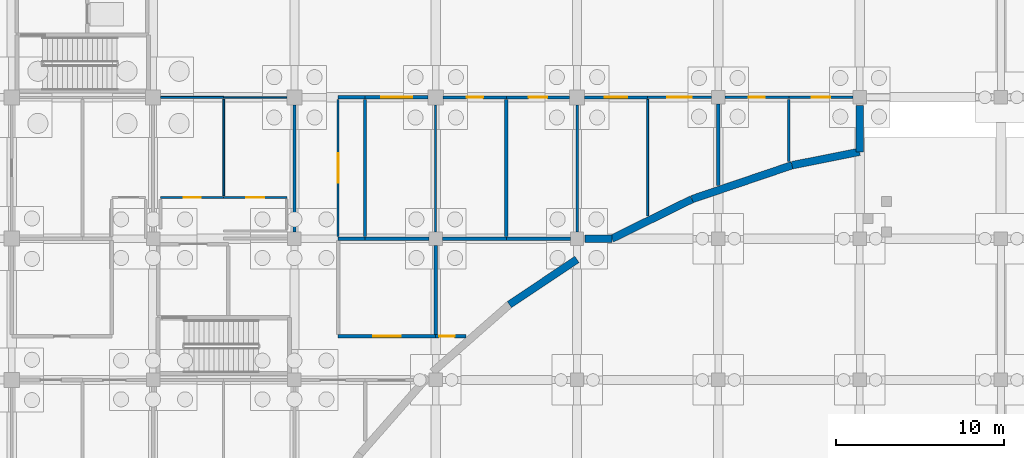
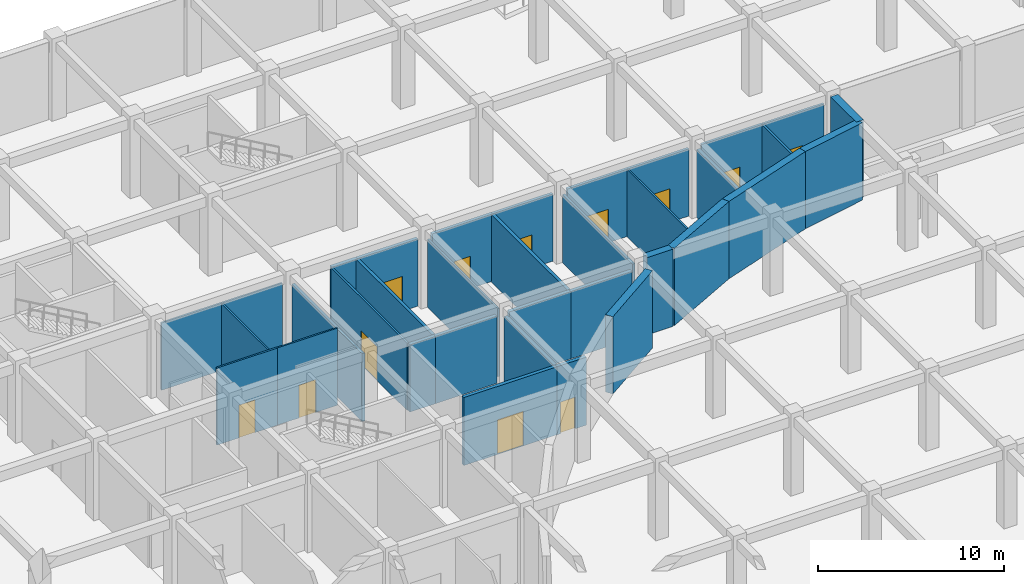
# One storey, part 49 of 65: 35 walls, 12 doors, 12 openings.
"""IFC4 building model written with IfcOpenShell, lengths in metres."""

from ifc_helpers import new_model, si_unit, direction, frame, frame_2d, origin, place, context, subcontext, project, spatial, rectangle, extrude, material, layer, layer_set, type_object, element, fill, save


model = new_model("IFC4")

# Units and contexts
model_context = context("Model", 3, precision=1e-05, world=origin(), true_north=direction((0.0, 1.0)))
body_context = subcontext(model_context, "Body", "Model", "MODEL_VIEW")
ifc_project = project(units=[si_unit("LENGTHUNIT", "METRE"), si_unit("AREAUNIT", "SQUARE_METRE"), si_unit("VOLUMEUNIT", "CUBIC_METRE"), si_unit("PLANEANGLEUNIT", "RADIAN"), si_unit("MASSUNIT", "GRAM", prefix="KILO")], contexts=[model_context])

# Site, building, storey
site_placement = place(None, origin())
site = spatial("IfcSite", under=ifc_project, at=site_placement, CompositionType="ELEMENT")
building_placement = place(site_placement, origin())
building = spatial("IfcBuilding", under=site, at=building_placement, Name="Bramfleet General Hospital", CompositionType="ELEMENT")
storey_placement = place(building_placement, frame((0.0, 0.0, -5.39990234375)))
storey = spatial("IfcBuildingStorey", under=building, at=storey_placement, Name="B1", CompositionType="ELEMENT", Elevation=-5.39990234375)

# Walls
ifc_material_1 = material(Name="Concrete C35/45", Category="concrete")
ifc_layer_1 = layer(ifc_material_1, 0.449951171875, Name="WT-EW-01")
ifc_layer_set_1 = layer_set([ifc_layer_1], Name="Concrete C35/45")
wall_type_1 = type_object("IfcWallType", Name="WT-EW-01", PredefinedType="SOLIDWALL", material=ifc_layer_set_1)
wall_1_placement = place(storey_placement, frame((168.0, 91.925048828125, 0.0), z_axis=(0.0, 0.0, 1.0), x_axis=(0.0, -1.0, 0.0)))
element("IfcWall", 1, at=wall_1_placement, inside=storey, type_object=wall_type_1, Name="B1 Waterproof Retaining Wall 35", PredefinedType="SOLIDWALL", context=body_context, shape_type="SweptSolid", body=[
    extrude(rectangle(XDim=2.760009765625, YDim=0.449951171875, at=frame_2d((1.3798828125, 0.0))), origin(), (0.0, 0.0, 1.0), 5.079833984375),
])
wall_2_placement = place(storey_placement, frame((168.0, 89.1650390625, 0.0), z_axis=(0.0, 0.0, 1.0), x_axis=(-0.980747429611, -0.195280514416, 0.0)))
element("IfcWall", 2, at=wall_2_placement, inside=storey, type_object=wall_type_1, Name="B1 Waterproof Retaining Wall 36", PredefinedType="SOLIDWALL", context=body_context, shape_type="SweptSolid", body=[
    extrude(rectangle(XDim=4.101806640625, YDim=0.449951171875, at=frame_2d((2.05078125, 0.0))), origin(), (0.0, 0.0, 1.0), 5.079833984375),
])
wall_3_placement = place(storey_placement, frame((163.97705078125, 88.364013671875, 0.0), z_axis=(0.0, 0.0, 1.0), x_axis=(-0.946946796994, -0.321390360253, 0.0)))
element("IfcWall", 3, at=wall_3_placement, inside=storey, type_object=wall_type_1, Name="B1 Waterproof Retaining Wall 37", PredefinedType="SOLIDWALL", context=body_context, shape_type="SweptSolid", body=[
    extrude(rectangle(XDim=6.279296875, YDim=0.449951171875, at=frame_2d((3.1396484375, 0.0))), origin(), (0.0, 0.0, 1.0), 5.079833984375),
])
wall_4_placement = place(storey_placement, frame((158.031005859375, 86.345947265625, 0.0), z_axis=(0.0, 0.0, 1.0), x_axis=(-0.896871620933, -0.442290962563, 0.0)))
element("IfcWall", 4, at=wall_4_placement, inside=storey, type_object=wall_type_1, Name="B1 Waterproof Retaining Wall 38", PredefinedType="SOLIDWALL", context=body_context, shape_type="SweptSolid", body=[
    extrude(rectangle(XDim=5.30419921875, YDim=0.449951171875, at=frame_2d((2.652099609375, 0.0))), origin(), (0.0, 0.0, 1.0), 5.079833984375),
])
wall_5_placement = place(storey_placement, frame((153.27392578125, 84.0, 0.0), z_axis=(0.0, 0.0, 1.0), x_axis=(-1.0, 0.0, 0.0)))
element("IfcWall", 5, at=wall_5_placement, inside=storey, type_object=wall_type_1, Name="B1 Waterproof Retaining Wall 39", PredefinedType="SOLIDWALL", context=body_context, shape_type="SweptSolid", body=[
    extrude(rectangle(XDim=1.598876953125, YDim=0.449951171875, at=frame_2d((0.79931640625, 0.0))), origin(), (0.0, 0.0, 1.0), 5.079833984375),
])
wall_6_placement = place(storey_placement, frame((151.199951171875, 82.76708984375, 0.0), z_axis=(0.0, 0.0, 1.0), x_axis=(-0.831537291658, -0.555468930348, 0.0)))
element("IfcWall", 6, at=wall_6_placement, inside=storey, type_object=wall_type_1, Name="B1 Waterproof Retaining Wall 40", PredefinedType="SOLIDWALL", context=body_context, shape_type="SweptSolid", body=[
    extrude(rectangle(XDim=4.835693359375, YDim=0.449951171875, at=frame_2d((2.41796875, 0.0))), origin(), (0.0, 0.0, 1.0), 5.079833984375),
])

# Wall, opening, door
ifc_layer_2 = layer(ifc_material_1, 0.219970703125, Name="WT-IW-01")
ifc_layer_set_2 = layer_set([ifc_layer_2], Name="Concrete C35/45")
wall_type_2 = type_object("IfcWallType", Name="WT-IW-01", PredefinedType="PARTITIONING", material=ifc_layer_set_2)
wall_7_placement = place(storey_placement, frame((137.0, 78.199951171875, 0.0), z_axis=(0.0, 0.0, 1.0), x_axis=(1.0, 0.0, 0.0)))
wall_7 = element("IfcWall", 7, at=wall_7_placement, inside=storey, type_object=wall_type_2, Name="B1 Interior Partition IW-B1-0232", PredefinedType="PARTITIONING", context=body_context, shape_type="SweptSolid", body=[
    extrude(rectangle(XDim=5.800048828125, YDim=0.219970703125, at=frame_2d((2.89990234375, 0.0))), origin(), (0.0, 0.0, 1.0), 4.469970703125),
])
opening_1_placement = place(wall_7_placement, frame((2.080078125, 0.0, 0.0)))
opening_1 = element("IfcOpeningElement", 8, at=opening_1_placement, cuts=wall_7, Name="Opening D0370", PredefinedType="OPENING", context=body_context, shape_type="SweptSolid", body=[
    extrude(rectangle(XDim=1.639892578125, YDim=2.280029296875, at=frame_2d((0.81982421875, 1.14013671875))), frame((0.0, 0.119873046875, 0.0), z_axis=(0.0, -1.0, 0.0), x_axis=(1.0, 0.0, 0.0)), (0.0, 0.0, 1.0), 0.239990234375),
])
ifc_material_2 = material(Name="Stainless steel and acoustic timber leaf", Category="steel")
door_type_1 = type_object("IfcDoorType", Name="DR-D-18", OperationType="NOTDEFINED", PredefinedType="DOOR", material=ifc_material_2)
door_1_placement = place(opening_1_placement, origin())
door_1 = element("IfcDoor", 9, at=door_1_placement, inside=storey, type_object=door_type_1, Name="Central Sterile Supply Room B1-1609 Door D0370", OperationType="DOUBLE_SWING_LEFT", OverallHeight=2.280029296875, OverallWidth=1.639892578125, PredefinedType="DOOR", context=body_context, shape_type="SweptSolid", body=[
    extrude(rectangle(XDim=1.639892578125, YDim=2.280029296875, at=frame_2d((0.81982421875, 1.14013671875))), frame((0.0, 0.02490234375, 0.0), z_axis=(0.0, -1.0, 0.0), x_axis=(1.0, 0.0, 0.0)), (0.0, 0.0, 1.0), 0.050048828125),
])
fill(opening_1, door_1)

wall_8_placement = place(storey_placement, frame((142.800048828125, 78.199951171875, 0.0), z_axis=(0.0, 0.0, 1.0), x_axis=(1.0, 0.0, 0.0)))
wall_8 = element("IfcWall", 10, at=wall_8_placement, inside=storey, type_object=wall_type_2, Name="B1 Interior Partition IW-B1-0233", PredefinedType="PARTITIONING", context=body_context, shape_type="SweptSolid", body=[
    extrude(rectangle(XDim=1.81005859375, YDim=0.219970703125, at=frame_2d((0.905029296875, 0.0))), origin(), (0.0, 0.0, 1.0), 4.469970703125),
])
opening_2_placement = place(wall_8_placement, frame((0.20947265625, 0.0, 0.0)))
opening_2 = element("IfcOpeningElement", 11, at=opening_2_placement, cuts=wall_8, Name="Opening D0377", PredefinedType="OPENING", context=body_context, shape_type="SweptSolid", body=[
    extrude(rectangle(XDim=0.919921875, YDim=2.080078125, at=frame_2d((0.4599609375, 1.0400390625))), frame((0.0, 0.119873046875, 0.0), z_axis=(0.0, -1.0, 0.0), x_axis=(1.0, 0.0, 0.0)), (0.0, 0.0, 1.0), 0.239990234375),
])
door_type_2 = type_object("IfcDoorType", Name="DR-D-25", OperationType="NOTDEFINED", PredefinedType="DOOR", material=ifc_material_2)
door_2_placement = place(opening_2_placement, origin())
door_2 = element("IfcDoor", 12, at=door_2_placement, inside=storey, type_object=door_type_2, Name="Central Sterile Supply Room B1-1709 Door D0377", OperationType="SINGLE_SWING_RIGHT", OverallHeight=2.080078125, OverallWidth=0.919921875, PredefinedType="DOOR", context=body_context, shape_type="SweptSolid", body=[
    extrude(rectangle(XDim=0.919921875, YDim=2.080078125, at=frame_2d((0.4599609375, 1.0400390625))), frame((0.0, 0.02490234375, 0.0), z_axis=(0.0, -1.0, 0.0), x_axis=(1.0, 0.0, 0.0)), (0.0, 0.0, 1.0), 0.050048828125),
])
fill(opening_2, door_2)

# Walls
wall_9_placement = place(storey_placement, frame((137.0, 84.0, 0.0), z_axis=(0.0, 0.0, 1.0), x_axis=(1.0, 0.0, 0.0)))
element("IfcWall", 13, at=wall_9_placement, inside=storey, type_object=wall_type_2, Name="B1 Interior Partition IW-B1-0245", PredefinedType="PARTITIONING", context=body_context, shape_type="SweptSolid", body=[
    extrude(rectangle(XDim=1.60009765625, YDim=0.219970703125, at=frame_2d((0.800048828125, 0.0))), origin(), (0.0, 0.0, 1.0), 4.419921875),
])
for number, where, z_axis, x_axis, name in (
    (14, (138.60009765625, 84.0, 0.0), (0.0, 0.0, 1.0), (1.0, 0.0, 0.0), "B1 Interior Partition IW-B1-0246"),
    (15, (143.195068359375, 84.0, 0.0), (0.0, 0.0, 1.0), (1.0, 0.0, 0.0), "B1 Interior Partition IW-B1-0247"),
    (16, (147.0, 84.0, 0.0), (0.0, 0.0, 1.0), (1.0, 0.0, 0.0), "B1 Interior Partition IW-B1-0248"),
):
    element("IfcWall", number, at=place(storey_placement, frame(where, z_axis=z_axis, x_axis=x_axis)), inside=storey, type_object=wall_type_2, Name=name, PredefinedType="PARTITIONING", context=body_context, shape_type="SweptSolid", body=[
        extrude(rectangle(XDim=3.804931640625, YDim=0.219970703125, at=frame_2d((1.90234375, 0.0))), origin(), (0.0, 0.0, 1.0), 4.419921875),
    ])
wall_10_placement = place(storey_placement, frame((137.0, 92.39990234375, 0.0), z_axis=(0.0, 0.0, 1.0), x_axis=(1.0, 0.0, 0.0)))
element("IfcWall", 17, at=wall_10_placement, inside=storey, type_object=wall_type_2, Name="B1 Interior Partition IW-B1-0265", PredefinedType="PARTITIONING", context=body_context, shape_type="SweptSolid", body=[
    extrude(rectangle(XDim=1.60009765625, YDim=0.219970703125, at=frame_2d((0.800048828125, 0.0))), origin(), (0.0, 0.0, 1.0), 4.419921875),
])
wall_11_placement = place(storey_placement, frame((142.800048828125, 78.31494140625, 0.0), z_axis=(0.0, 0.0, 1.0), x_axis=(0.0, 1.0, 0.0)))
element("IfcWall", 18, at=wall_11_placement, inside=storey, type_object=wall_type_2, Name="B1 Interior Partition IW-B1-0573", PredefinedType="PARTITIONING", context=body_context, shape_type="SweptSolid", body=[
    extrude(rectangle(XDim=5.2900390625, YDim=0.219970703125, at=frame_2d((2.64501953125, 0.0))), origin(), (0.0, 0.0, 1.0), 4.469970703125),
])

# Wall, opening, door
ifc_layer_3 = layer(ifc_material_1, 0.205078125, Name="WT-IW-02")
ifc_layer_set_3 = layer_set([ifc_layer_3], Name="Concrete C35/45")
wall_type_3 = type_object("IfcWallType", Name="WT-IW-02", PredefinedType="PARTITIONING", material=ifc_layer_set_3)
wall_12_placement = place(storey_placement, frame((138.60009765625, 92.39990234375, 0.0), z_axis=(0.0, 0.0, 1.0), x_axis=(1.0, 0.0, 0.0)))
wall_12 = element("IfcWall", 19, at=wall_12_placement, inside=storey, type_object=wall_type_3, Name="B1 Interior Partition IW-B1-0266", PredefinedType="PARTITIONING", context=body_context, shape_type="SweptSolid", body=[
    extrude(rectangle(XDim=3.7548828125, YDim=0.205078125, at=frame_2d((1.87744140625, 0.0))), origin(), (0.0, 0.0, 1.0), 4.419921875),
])
opening_3_placement = place(wall_12_placement, frame((0.95751953125, 0.0, 0.0)))
opening_3 = element("IfcOpeningElement", 20, at=opening_3_placement, cuts=wall_12, Name="Opening D0372", PredefinedType="OPENING", context=body_context, shape_type="SweptSolid", body=[
    extrude(rectangle(XDim=1.840087890625, YDim=2.280029296875, at=frame_2d((0.919921875, 1.14013671875))), frame((0.0, 0.112548828125, 0.0), z_axis=(0.0, -1.0, 0.0), x_axis=(1.0, 0.0, 0.0)), (0.0, 0.0, 1.0), 0.22509765625),
])
door_type_3 = type_object("IfcDoorType", Name="DR-D-20", OperationType="NOTDEFINED", PredefinedType="DOOR", material=ifc_material_2)
door_3_placement = place(opening_3_placement, origin())
door_3 = element("IfcDoor", 21, at=door_3_placement, inside=storey, type_object=door_type_3, Name="Clinical Engineering Workshop B1-1610 Door D0372", OperationType="DOUBLE_SWING_LEFT", OverallHeight=2.280029296875, OverallWidth=1.840087890625, PredefinedType="DOOR", context=body_context, shape_type="SweptSolid", body=[
    extrude(rectangle(XDim=1.840087890625, YDim=2.280029296875, at=frame_2d((0.919921875, 1.14013671875))), frame((0.0, 0.02490234375, 0.0), z_axis=(0.0, -1.0, 0.0), x_axis=(1.0, 0.0, 0.0)), (0.0, 0.0, 1.0), 0.050048828125),
])
fill(opening_3, door_3)

# Wall
wall_13_placement = place(storey_placement, frame((147.0, 84.114990234375, 0.0), z_axis=(0.0, 0.0, 1.0), x_axis=(0.0, 1.0, 0.0)))
element("IfcWall", 22, at=wall_13_placement, inside=storey, type_object=wall_type_3, Name="B1 Interior Partition IW-B1-0578", PredefinedType="PARTITIONING", context=body_context, shape_type="SweptSolid", body=[
    extrude(rectangle(XDim=8.169921875, YDim=0.205078125, at=frame_2d((4.0849609375, 0.0))), origin(), (0.0, 0.0, 1.0), 4.419921875),
])

# Wall, opening, door
ifc_layer_4 = layer(ifc_material_1, 0.18994140625, Name="WT-IW-03")
ifc_layer_set_4 = layer_set([ifc_layer_4], Name="Concrete C35/45")
wall_type_4 = type_object("IfcWallType", Name="WT-IW-03", PredefinedType="PARTITIONING", material=ifc_layer_set_4)
wall_14_placement = place(storey_placement, frame((143.2451171875, 92.39990234375, 0.0), z_axis=(0.0, 0.0, 1.0), x_axis=(1.0, 0.0, 0.0)))
wall_14 = element("IfcWall", 23, at=wall_14_placement, inside=storey, type_object=wall_type_4, Name="B1 Interior Partition IW-B1-0267", PredefinedType="PARTITIONING", context=body_context, shape_type="SweptSolid", body=[
    extrude(rectangle(XDim=3.7548828125, YDim=0.18994140625, at=frame_2d((1.87744140625, 0.0))), origin(), (0.0, 0.0, 1.0), 4.419921875),
])
opening_4_placement = place(wall_14_placement, frame((1.387451171875, 0.0, 0.0)))
opening_4 = element("IfcOpeningElement", 24, at=opening_4_placement, cuts=wall_14, Name="Opening D0378", PredefinedType="OPENING", context=body_context, shape_type="SweptSolid", body=[
    extrude(rectangle(XDim=0.97998046875, YDim=2.1201171875, at=frame_2d((0.489990234375, 1.06005859375))), frame((0.0, 0.10498046875, 0.0), z_axis=(0.0, -1.0, 0.0), x_axis=(1.0, 0.0, 0.0)), (0.0, 0.0, 1.0), 0.2099609375),
])
door_type_4 = type_object("IfcDoorType", Name="DR-D-26", OperationType="NOTDEFINED", PredefinedType="DOOR", material=ifc_material_2)
door_4_placement = place(opening_4_placement, origin())
door_4 = element("IfcDoor", 25, at=door_4_placement, inside=storey, type_object=door_type_4, Name="Clean Medical Supply Store B1-1710 Door D0378", OperationType="SINGLE_SWING_LEFT", OverallHeight=2.1201171875, OverallWidth=0.97998046875, PredefinedType="DOOR", context=body_context, shape_type="SweptSolid", body=[
    extrude(rectangle(XDim=0.97998046875, YDim=2.1201171875, at=frame_2d((0.489990234375, 1.06005859375))), frame((0.0, 0.02490234375, 0.0), z_axis=(0.0, -1.0, 0.0), x_axis=(1.0, 0.0, 0.0)), (0.0, 0.0, 1.0), 0.050048828125),
])
fill(opening_4, door_4)

# Walls
wall_15_placement = place(storey_placement, frame((138.60009765625, 84.114990234375, 0.0), z_axis=(0.0, 0.0, 1.0), x_axis=(0.0, 1.0, 0.0)))
element("IfcWall", 26, at=wall_15_placement, inside=storey, type_object=wall_type_4, Name="B1 Interior Partition IW-B1-0567", PredefinedType="PARTITIONING", context=body_context, shape_type="SweptSolid", body=[
    extrude(rectangle(XDim=8.169921875, YDim=0.18994140625, at=frame_2d((4.0849609375, 0.0))), origin(), (0.0, 0.0, 1.0), 4.419921875),
])
wall_16_placement = place(storey_placement, frame((159.60009765625, 87.17431640625, 0.0), z_axis=(0.0, 0.0, 1.0), x_axis=(0.0, 1.0, 0.0)))
element("IfcWall", 27, at=wall_16_placement, inside=storey, type_object=wall_type_4, Name="B1 Interior Partition IW-B1-0591", PredefinedType="PARTITIONING", context=body_context, shape_type="SweptSolid", body=[
    extrude(rectangle(XDim=4.83056640625, YDim=0.18994140625, at=frame_2d((2.415283203125, 0.0))), origin(), (0.0, 0.0, 1.0), 4.469970703125),
])

# Wall, opening, door
ifc_layer_5 = layer(ifc_material_1, 0.179931640625, Name="WT-IW-04")
ifc_layer_set_5 = layer_set([ifc_layer_5], Name="Concrete C35/45")
wall_type_5 = type_object("IfcWallType", Name="WT-IW-04", PredefinedType="PARTITIONING", material=ifc_layer_set_5)
wall_17_placement = place(storey_placement, frame((147.0, 92.39990234375, 0.0), z_axis=(0.0, 0.0, 1.0), x_axis=(1.0, 0.0, 0.0)))
wall_17 = element("IfcWall", 28, at=wall_17_placement, inside=storey, type_object=wall_type_5, Name="B1 Interior Partition IW-B1-0268", PredefinedType="PARTITIONING", context=body_context, shape_type="SweptSolid", body=[
    extrude(rectangle(XDim=3.7548828125, YDim=0.179931640625, at=frame_2d((1.87744140625, 0.0))), origin(), (0.0, 0.0, 1.0), 4.419921875),
])
opening_5_placement = place(wall_17_placement, frame((1.3173828125, 0.0, 0.0)))
opening_5 = element("IfcOpeningElement", 29, at=opening_5_placement, cuts=wall_17, Name="Opening D0379", PredefinedType="OPENING", context=body_context, shape_type="SweptSolid", body=[
    extrude(rectangle(XDim=1.1201171875, YDim=2.179931640625, at=frame_2d((0.56005859375, 1.08984375))), frame((0.0, 0.099853515625, 0.0), z_axis=(0.0, -1.0, 0.0), x_axis=(1.0, 0.0, 0.0)), (0.0, 0.0, 1.0), 0.199951171875),
])
door_type_5 = type_object("IfcDoorType", Name="DR-D-27", OperationType="NOTDEFINED", PredefinedType="DOOR", material=ifc_material_2)
door_5_placement = place(opening_5_placement, origin())
door_5 = element("IfcDoor", 30, at=door_5_placement, inside=storey, type_object=door_type_5, Name="Clinical Engineering Workshop B1-1710 Door D0379", OperationType="SINGLE_SWING_RIGHT", OverallHeight=2.179931640625, OverallWidth=1.1201171875, PredefinedType="DOOR", context=body_context, shape_type="SweptSolid", body=[
    extrude(rectangle(XDim=1.1201171875, YDim=2.179931640625, at=frame_2d((0.56005859375, 1.08984375))), frame((0.0, 0.02490234375, 0.0), z_axis=(0.0, -1.0, 0.0), x_axis=(1.0, 0.0, 0.0)), (0.0, 0.0, 1.0), 0.050048828125),
])
fill(opening_5, door_5)

ifc_material_3 = material(Name="Gypsum plasterboard on acoustic steel studs", Category="steel")
ifc_layer_6 = layer(ifc_material_3, 0.169921875, Name="WT-IW-05")
ifc_layer_set_6 = layer_set([ifc_layer_6], Name="Gypsum plasterboard on acoustic steel studs")
wall_type_6 = type_object("IfcWallType", Name="WT-IW-05", PredefinedType="PARTITIONING", material=ifc_layer_set_6)
wall_18_placement = place(storey_placement, frame((151.64501953125, 92.39990234375, 0.0), z_axis=(0.0, 0.0, 1.0), x_axis=(1.0, 0.0, 0.0)))
wall_18 = element("IfcWall", 31, at=wall_18_placement, inside=storey, type_object=wall_type_6, Name="B1 Interior Partition IW-B1-0269", PredefinedType="PARTITIONING", context=body_context, shape_type="SweptSolid", body=[
    extrude(rectangle(XDim=3.7548828125, YDim=0.169921875, at=frame_2d((1.87744140625, 0.0))), origin(), (0.0, 0.0, 1.0), 4.419921875),
])
opening_6_placement = place(wall_18_placement, frame((1.202392578125, 0.0, 0.0)))
opening_6 = element("IfcOpeningElement", 32, at=opening_6_placement, cuts=wall_18, Name="Opening D0386", PredefinedType="OPENING", context=body_context, shape_type="SweptSolid", body=[
    extrude(rectangle(XDim=1.35009765625, YDim=2.199951171875, at=frame_2d((0.675048828125, 1.10009765625))), frame((0.0, 0.094970703125, 0.0), z_axis=(0.0, -1.0, 0.0), x_axis=(1.0, 0.0, 0.0)), (0.0, 0.0, 1.0), 0.18994140625),
])
door_type_6 = type_object("IfcDoorType", Name="DR-D-02", OperationType="NOTDEFINED", PredefinedType="DOOR", material=ifc_material_2)
door_6_placement = place(opening_6_placement, origin())
door_6 = element("IfcDoor", 33, at=door_6_placement, inside=storey, type_object=door_type_6, Name="Clean Medical Supply Store B1-1810 Door D0386", OperationType="SINGLE_SWING_LEFT", OverallHeight=2.199951171875, OverallWidth=1.35009765625, PredefinedType="DOOR", context=body_context, shape_type="SweptSolid", body=[
    extrude(rectangle(XDim=1.35009765625, YDim=2.199951171875, at=frame_2d((0.675048828125, 1.10009765625))), frame((0.0, 0.02490234375, 0.0), z_axis=(0.0, -1.0, 0.0), x_axis=(1.0, 0.0, 0.0)), (0.0, 0.0, 1.0), 0.050048828125),
])
fill(opening_6, door_6)

# Wall
wall_19_placement = place(storey_placement, frame((134.39990234375, 84.39501953125, 0.0), z_axis=(0.0, 0.0, 1.0), x_axis=(0.0, 1.0, 0.0)))
element("IfcWall", 34, at=wall_19_placement, inside=storey, type_object=wall_type_6, Name="B1 Interior Partition IW-B1-0557", PredefinedType="PARTITIONING", context=body_context, shape_type="SweptSolid", body=[
    extrude(rectangle(XDim=7.56005859375, YDim=0.169921875, at=frame_2d((3.780029296875, 0.0))), origin(), (0.0, 0.0, 1.0), 4.469970703125),
])

# Wall, opening, door
ifc_layer_7 = layer(ifc_material_3, 0.159912109375, Name="WT-IW-06")
ifc_layer_set_7 = layer_set([ifc_layer_7], Name="Gypsum plasterboard on acoustic steel studs")
wall_type_7 = type_object("IfcWallType", Name="WT-IW-06", PredefinedType="PARTITIONING", material=ifc_layer_set_7)
wall_20_placement = place(storey_placement, frame((155.39990234375, 92.39990234375, 0.0), z_axis=(0.0, 0.0, 1.0), x_axis=(1.0, 0.0, 0.0)))
wall_20 = element("IfcWall", 35, at=wall_20_placement, inside=storey, type_object=wall_type_7, Name="B1 Interior Partition IW-B1-0270", PredefinedType="PARTITIONING", context=body_context, shape_type="SweptSolid", body=[
    extrude(rectangle(XDim=3.80517578125, YDim=0.159912109375, at=frame_2d((1.902587890625, 0.0))), origin(), (0.0, 0.0, 1.0), 4.419921875),
])
opening_7_placement = place(wall_20_placement, frame((1.177490234375, 0.0, 0.0)))
opening_7 = element("IfcOpeningElement", 36, at=opening_7_placement, cuts=wall_20, Name="Opening D0387", PredefinedType="OPENING", context=body_context, shape_type="SweptSolid", body=[
    extrude(rectangle(XDim=1.449951171875, YDim=2.199951171875, at=frame_2d((0.72509765625, 1.10009765625))), frame((0.0, 0.08984375, 0.0), z_axis=(0.0, -1.0, 0.0), x_axis=(1.0, 0.0, 0.0)), (0.0, 0.0, 1.0), 0.179931640625),
])
door_type_7 = type_object("IfcDoorType", Name="DR-D-03", OperationType="NOTDEFINED", PredefinedType="DOOR", material=ifc_material_2)
door_7_placement = place(opening_7_placement, origin())
door_7 = element("IfcDoor", 37, at=door_7_placement, inside=storey, type_object=door_type_7, Name="Clinical Engineering Workshop B1-1810 Door D0387", OperationType="SINGLE_SWING_RIGHT", OverallHeight=2.199951171875, OverallWidth=1.449951171875, PredefinedType="DOOR", context=body_context, shape_type="SweptSolid", body=[
    extrude(rectangle(XDim=1.449951171875, YDim=2.199951171875, at=frame_2d((0.72509765625, 1.10009765625))), frame((0.0, 0.02490234375, 0.0), z_axis=(0.0, -1.0, 0.0), x_axis=(1.0, 0.0, 0.0)), (0.0, 0.0, 1.0), 0.050048828125),
])
fill(opening_7, door_7)

ifc_layer_8 = layer(ifc_material_3, 0.14990234375, Name="WT-IW-07")
ifc_layer_set_8 = layer_set([ifc_layer_8], Name="Gypsum plasterboard on acoustic steel studs")
wall_type_8 = type_object("IfcWallType", Name="WT-IW-07", PredefinedType="PARTITIONING", material=ifc_layer_set_8)
wall_21_placement = place(storey_placement, frame((159.9951171875, 92.39990234375, 0.0), z_axis=(0.0, 0.0, 1.0), x_axis=(1.0, 0.0, 0.0)))
wall_21 = element("IfcWall", 38, at=wall_21_placement, inside=storey, type_object=wall_type_8, Name="B1 Interior Partition IW-B1-0271", PredefinedType="PARTITIONING", context=body_context, shape_type="SweptSolid", body=[
    extrude(rectangle(XDim=3.804931640625, YDim=0.14990234375, at=frame_2d((1.90234375, 0.0))), origin(), (0.0, 0.0, 1.0), 4.419921875),
])
opening_8_placement = place(wall_21_placement, frame((1.427490234375, 0.0, 0.0)))
opening_8 = element("IfcOpeningElement", 39, at=opening_8_placement, cuts=wall_21, Name="Opening D0394", PredefinedType="OPENING", context=body_context, shape_type="SweptSolid", body=[
    extrude(rectangle(XDim=0.949951171875, YDim=2.10009765625, at=frame_2d((0.47509765625, 1.050048828125))), frame((0.0, 0.0849609375, 0.0), z_axis=(0.0, -1.0, 0.0), x_axis=(1.0, 0.0, 0.0)), (0.0, 0.0, 1.0), 0.169921875),
])
door_type_8 = type_object("IfcDoorType", Name="DR-D-10", OperationType="NOTDEFINED", PredefinedType="DOOR", material=ifc_material_2)
door_8_placement = place(opening_8_placement, origin())
door_8 = element("IfcDoor", 40, at=door_8_placement, inside=storey, type_object=door_type_8, Name="Clean Medical Supply Store B1-1910 Door D0394", OperationType="SINGLE_SWING_LEFT", OverallHeight=2.10009765625, OverallWidth=0.949951171875, PredefinedType="DOOR", context=body_context, shape_type="SweptSolid", body=[
    extrude(rectangle(XDim=0.949951171875, YDim=2.10009765625, at=frame_2d((0.47509765625, 1.050048828125))), frame((0.0, 0.02490234375, 0.0), z_axis=(0.0, -1.0, 0.0), x_axis=(1.0, 0.0, 0.0)), (0.0, 0.0, 1.0), 0.050048828125),
])
fill(opening_8, door_8)

# Walls
wall_22_placement = place(storey_placement, frame((151.199951171875, 84.39501953125, 0.0), z_axis=(0.0, 0.0, 1.0), x_axis=(0.0, 1.0, 0.0)))
element("IfcWall", 41, at=wall_22_placement, inside=storey, type_object=wall_type_8, Name="B1 Interior Partition IW-B1-0583", PredefinedType="PARTITIONING", context=body_context, shape_type="SweptSolid", body=[
    extrude(rectangle(XDim=7.56005859375, YDim=0.14990234375, at=frame_2d((3.780029296875, 0.0))), origin(), (0.0, 0.0, 1.0), 4.469970703125),
])
wall_23_placement = place(storey_placement, frame((163.800048828125, 88.599609375, 0.0), z_axis=(0.0, 0.0, 1.0), x_axis=(0.0, 1.0, 0.0)))
element("IfcWall", 42, at=wall_23_placement, inside=storey, type_object=wall_type_8, Name="B1 Interior Partition IW-B1-0595", PredefinedType="PARTITIONING", context=body_context, shape_type="SweptSolid", body=[
    extrude(rectangle(XDim=3.685302734375, YDim=0.14990234375, at=frame_2d((1.8427734375, 0.0))), origin(), (0.0, 0.0, 1.0), 4.419921875),
])

# Wall, opening, door
ifc_layer_9 = layer(ifc_material_3, 0.139892578125, Name="WT-IW-08")
ifc_layer_set_9 = layer_set([ifc_layer_9], Name="Gypsum plasterboard on acoustic steel studs")
wall_type_9 = type_object("IfcWallType", Name="WT-IW-08", PredefinedType="PARTITIONING", material=ifc_layer_set_9)
wall_24_placement = place(storey_placement, frame((163.800048828125, 92.39990234375, 0.0), z_axis=(0.0, 0.0, 1.0), x_axis=(1.0, 0.0, 0.0)))
wall_24 = element("IfcWall", 43, at=wall_24_placement, inside=storey, type_object=wall_type_9, Name="B1 Interior Partition IW-B1-0272", PredefinedType="PARTITIONING", context=body_context, shape_type="SweptSolid", body=[
    extrude(rectangle(XDim=3.804931640625, YDim=0.139892578125, at=frame_2d((1.90234375, 0.0))), origin(), (0.0, 0.0, 1.0), 4.419921875),
])
opening_9_placement = place(wall_24_placement, frame((1.3525390625, 0.0, 0.0)))
opening_9 = element("IfcOpeningElement", 44, at=opening_9_placement, cuts=wall_24, Name="Opening D0395", PredefinedType="OPENING", context=body_context, shape_type="SweptSolid", body=[
    extrude(rectangle(XDim=1.10009765625, YDim=2.14990234375, at=frame_2d((0.550048828125, 1.074951171875))), frame((0.0, 0.079833984375, 0.0), z_axis=(0.0, -1.0, 0.0), x_axis=(1.0, 0.0, 0.0)), (0.0, 0.0, 1.0), 0.159912109375),
])
door_type_9 = type_object("IfcDoorType", Name="DR-D-11", OperationType="NOTDEFINED", PredefinedType="DOOR", material=ifc_material_2)
door_9_placement = place(opening_9_placement, origin())
door_9 = element("IfcDoor", 45, at=door_9_placement, inside=storey, type_object=door_type_9, Name="Clinical Engineering Workshop B1-1910 Door D0395", OperationType="SINGLE_SWING_RIGHT", OverallHeight=2.14990234375, OverallWidth=1.10009765625, PredefinedType="DOOR", context=body_context, shape_type="SweptSolid", body=[
    extrude(rectangle(XDim=1.10009765625, YDim=2.14990234375, at=frame_2d((0.550048828125, 1.074951171875))), frame((0.0, 0.02490234375, 0.0), z_axis=(0.0, -1.0, 0.0), x_axis=(1.0, 0.0, 0.0)), (0.0, 0.0, 1.0), 0.050048828125),
])
fill(opening_9, door_9)

ifc_layer_10 = layer(ifc_material_3, 0.1201171875, Name="WT-IW-10")
ifc_layer_set_10 = layer_set([ifc_layer_10], Name="Gypsum plasterboard on acoustic steel studs")
wall_type_10 = type_object("IfcWallType", Name="WT-IW-10", PredefinedType="PARTITIONING", material=ifc_layer_set_10)
wall_25_placement = place(storey_placement, frame((137.0, 84.114990234375, 0.0), z_axis=(0.0, 0.0, 1.0), x_axis=(0.0, 1.0, 0.0)))
wall_25 = element("IfcWall", 46, at=wall_25_placement, inside=storey, type_object=wall_type_10, Name="B1 Interior Partition IW-B1-0562", PredefinedType="PARTITIONING", context=body_context, shape_type="SweptSolid", body=[
    extrude(rectangle(XDim=8.169921875, YDim=0.1201171875, at=frame_2d((4.0849609375, 0.0))), origin(), (0.0, 0.0, 1.0), 4.419921875),
])
opening_10_placement = place(wall_25_placement, frame((3.215087890625, 0.0, 0.0)))
opening_10 = element("IfcOpeningElement", 47, at=opening_10_placement, cuts=wall_25, Name="Opening D0371", PredefinedType="OPENING", context=body_context, shape_type="SweptSolid", body=[
    extrude(rectangle(XDim=1.739990234375, YDim=2.239990234375, at=frame_2d((0.8701171875, 1.1201171875))), frame((0.0, 0.070068359375, 0.0), z_axis=(0.0, -1.0, 0.0), x_axis=(1.0, 0.0, 0.0)), (0.0, 0.0, 1.0), 0.14013671875),
])
door_type_10 = type_object("IfcDoorType", Name="DR-D-19", OperationType="NOTDEFINED", PredefinedType="DOOR", material=ifc_material_2)
door_10_placement = place(opening_10_placement, origin())
door_10 = element("IfcDoor", 48, at=door_10_placement, inside=storey, type_object=door_type_10, Name="Clean Medical Supply Store B1-1610 Door D0371", OperationType="DOUBLE_SWING_RIGHT", OverallHeight=2.239990234375, OverallWidth=1.739990234375, PredefinedType="DOOR", context=body_context, shape_type="SweptSolid", body=[
    extrude(rectangle(XDim=1.739990234375, YDim=2.239990234375, at=frame_2d((0.8701171875, 1.1201171875))), frame((0.0, 0.02490234375, 0.0), z_axis=(0.0, -1.0, 0.0), x_axis=(1.0, 0.0, 0.0)), (0.0, 0.0, 1.0), 0.050048828125),
])
fill(opening_10, door_10)

# Wall
wall_26_placement = place(storey_placement, frame((142.800048828125, 84.39501953125, 0.0), z_axis=(0.0, 0.0, 1.0), x_axis=(0.0, 1.0, 0.0)))
element("IfcWall", 49, at=wall_26_placement, inside=storey, type_object=wall_type_10, Name="B1 Interior Partition IW-B1-0574", PredefinedType="PARTITIONING", context=body_context, shape_type="SweptSolid", body=[
    extrude(rectangle(XDim=7.56005859375, YDim=0.1201171875, at=frame_2d((3.780029296875, 0.0))), origin(), (0.0, 0.0, 1.0), 4.469970703125),
])

# Wall, opening, door
ifc_layer_11 = layer(ifc_material_3, 0.112060546875, Name="WT-IW-11")
ifc_layer_set_11 = layer_set([ifc_layer_11], Name="Gypsum plasterboard on acoustic steel studs")
wall_type_11 = type_object("IfcWallType", Name="WT-IW-11", PredefinedType="PARTITIONING", material=ifc_layer_set_11)
wall_27_placement = place(storey_placement, frame((126.449951171875, 86.449951171875, 0.0), z_axis=(0.0, 0.0, 1.0), x_axis=(1.0, 0.0, 0.0)))
wall_27 = element("IfcWall", 50, at=wall_27_placement, inside=storey, type_object=wall_type_11, Name="B1 Interior Partition IW-B1-0251", PredefinedType="PARTITIONING", context=body_context, shape_type="SweptSolid", body=[
    extrude(rectangle(XDim=3.75, YDim=0.112060546875, at=frame_2d((1.875, 0.0))), origin(), (0.0, 0.0, 1.0), 5.06982421875),
])
opening_11_placement = place(wall_27_placement, frame((1.375, 0.0, 0.0)))
opening_11 = element("IfcOpeningElement", 51, at=opening_11_placement, cuts=wall_27, Name="Opening D0360", PredefinedType="OPENING", context=body_context, shape_type="SweptSolid", body=[
    extrude(rectangle(XDim=1.0, YDim=2.14990234375, at=frame_2d((0.5, 1.074951171875))), frame((0.0, 0.06591796875, 0.0), z_axis=(0.0, -1.0, 0.0), x_axis=(1.0, 0.0, 0.0)), (0.0, 0.0, 1.0), 0.132080078125),
])
door_type_11 = type_object("IfcDoorType", Name="DR-D-08", OperationType="NOTDEFINED", PredefinedType="DOOR", material=ifc_material_2)
door_11_placement = place(opening_11_placement, origin())
door_11 = element("IfcDoor", 52, at=door_11_placement, inside=storey, type_object=door_type_11, Name="Clean Medical Supply Store B1-1510 Door D0360", OperationType="SINGLE_SWING_LEFT", OverallHeight=2.14990234375, OverallWidth=1.0, PredefinedType="DOOR", context=body_context, shape_type="SweptSolid", body=[
    extrude(rectangle(XDim=1.0, YDim=2.14990234375, at=frame_2d((0.5, 1.074951171875))), frame((0.0, 0.02490234375, 0.0), z_axis=(0.0, -1.0, 0.0), x_axis=(1.0, 0.0, 0.0)), (0.0, 0.0, 1.0), 0.050048828125),
])
fill(opening_11, door_11)

# Walls
wall_28_placement = place(storey_placement, frame((126.445068359375, 92.39990234375, 0.0), z_axis=(0.0, 0.0, 1.0), x_axis=(1.0, 0.0, 0.0)))
element("IfcWall", 53, at=wall_28_placement, inside=storey, type_object=wall_type_11, Name="B1 Interior Partition IW-B1-0263", PredefinedType="PARTITIONING", context=body_context, shape_type="SweptSolid", body=[
    extrude(rectangle(XDim=3.7548828125, YDim=0.112060546875, at=frame_2d((1.87744140625, 0.0))), origin(), (0.0, 0.0, 1.0), 4.419921875),
])
wall_29_placement = place(storey_placement, frame((130.199951171875, 86.56494140625, 0.0), z_axis=(0.0, 0.0, 1.0), x_axis=(0.0, 1.0, 0.0)))
element("IfcWall", 54, at=wall_29_placement, inside=storey, type_object=wall_type_11, Name="B1 Interior Partition IW-B1-0551", PredefinedType="PARTITIONING", context=body_context, shape_type="SweptSolid", body=[
    extrude(rectangle(XDim=5.719970703125, YDim=0.112060546875, at=frame_2d((2.85986328125, 0.0))), origin(), (0.0, 0.0, 1.0), 4.419921875),
])
wall_30_placement = place(storey_placement, frame((155.39990234375, 85.360595703125, 0.0), z_axis=(0.0, 0.0, 1.0), x_axis=(0.0, 1.0, 0.0)))
element("IfcWall", 55, at=wall_30_placement, inside=storey, type_object=wall_type_11, Name="B1 Interior Partition IW-B1-0587", PredefinedType="PARTITIONING", context=body_context, shape_type="SweptSolid", body=[
    extrude(rectangle(XDim=6.92431640625, YDim=0.112060546875, at=frame_2d((3.462158203125, 0.0))), origin(), (0.0, 0.0, 1.0), 4.419921875),
])

# Wall, opening, door
ifc_layer_12 = layer(ifc_material_3, 0.10009765625, Name="WT-IW-12")
ifc_layer_set_12 = layer_set([ifc_layer_12], Name="Gypsum plasterboard on acoustic steel studs")
wall_type_12 = type_object("IfcWallType", Name="WT-IW-12", PredefinedType="PARTITIONING", material=ifc_layer_set_12)
wall_31_placement = place(storey_placement, frame((130.199951171875, 86.449951171875, 0.0), z_axis=(0.0, 0.0, 1.0), x_axis=(1.0, 0.0, 0.0)))
wall_31 = element("IfcWall", 56, at=wall_31_placement, inside=storey, type_object=wall_type_12, Name="B1 Interior Partition IW-B1-0252", PredefinedType="PARTITIONING", context=body_context, shape_type="SweptSolid", body=[
    extrude(rectangle(XDim=3.75, YDim=0.10009765625, at=frame_2d((1.875, 0.0))), origin(), (0.0, 0.0, 1.0), 5.06982421875),
])
opening_12_placement = place(wall_31_placement, frame((1.35009765625, 0.0, 0.0)))
opening_12 = element("IfcOpeningElement", 57, at=opening_12_placement, cuts=wall_31, Name="Opening D0361", PredefinedType="OPENING", context=body_context, shape_type="SweptSolid", body=[
    extrude(rectangle(XDim=1.050048828125, YDim=2.14990234375, at=frame_2d((0.52490234375, 1.074951171875))), frame((0.0, 0.06005859375, 0.0), z_axis=(0.0, -1.0, 0.0), x_axis=(1.0, 0.0, 0.0)), (0.0, 0.0, 1.0), 0.1201171875),
])
door_type_12 = type_object("IfcDoorType", Name="DR-D-09", OperationType="NOTDEFINED", PredefinedType="DOOR", material=ifc_material_2)
door_12_placement = place(opening_12_placement, origin())
door_12 = element("IfcDoor", 58, at=door_12_placement, inside=storey, type_object=door_type_12, Name="Clinical Engineering Workshop B1-1510 Door D0361", OperationType="SINGLE_SWING_RIGHT", OverallHeight=2.14990234375, OverallWidth=1.050048828125, PredefinedType="DOOR", context=body_context, shape_type="SweptSolid", body=[
    extrude(rectangle(XDim=1.050048828125, YDim=2.14990234375, at=frame_2d((0.52490234375, 1.074951171875))), frame((0.0, 0.02490234375, 0.0), z_axis=(0.0, -1.0, 0.0), x_axis=(1.0, 0.0, 0.0)), (0.0, 0.0, 1.0), 0.050048828125),
])
fill(opening_12, door_12)

# Wall
wall_32_placement = place(storey_placement, frame((130.199951171875, 92.39990234375, 0.0), z_axis=(0.0, 0.0, 1.0), x_axis=(1.0, 0.0, 0.0)))
element("IfcWall", 59, at=wall_32_placement, inside=storey, type_object=wall_type_12, Name="B1 Interior Partition IW-B1-0264", PredefinedType="PARTITIONING", context=body_context, shape_type="SweptSolid", body=[
    extrude(rectangle(XDim=3.755126953125, YDim=0.10009765625, at=frame_2d((1.87744140625, 0.0))), origin(), (0.0, 0.0, 1.0), 4.419921875),
])

save(model, "model.ifc")
